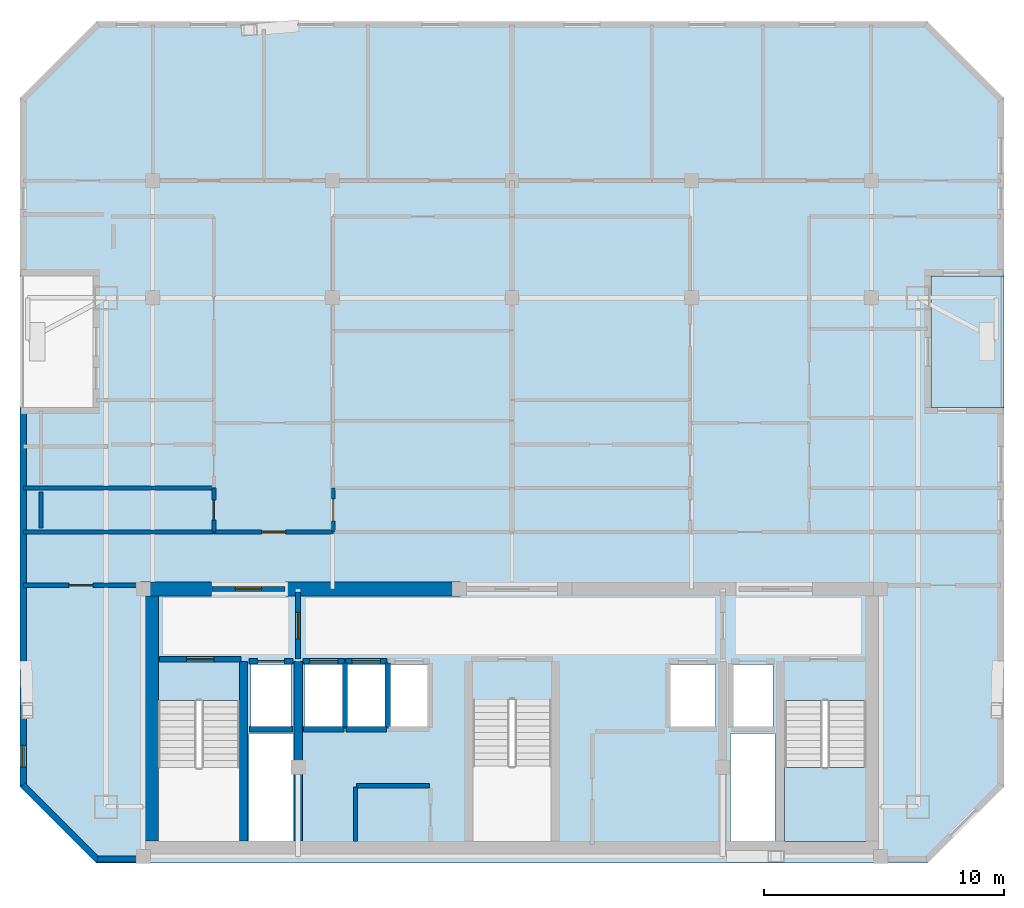
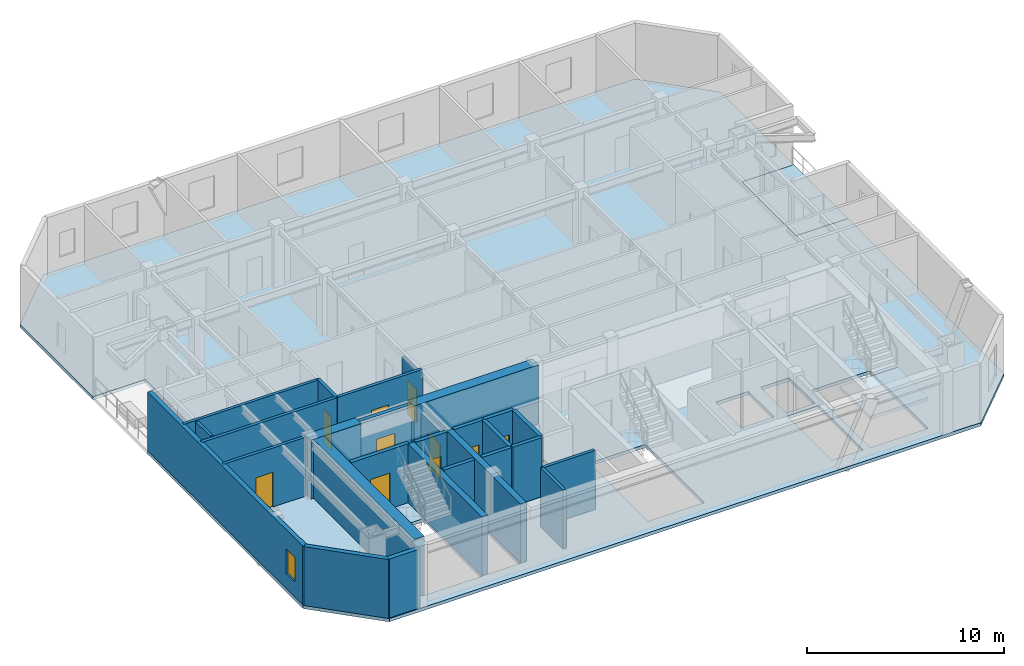
# One storey, part 2 of 7: 28 walls, 10 doors, 3 slabs, 1 window, 11 openings, 1 element without a shape of its own.
"""IFC4 building model written with IfcOpenShell, lengths in metres."""

from ifc_helpers import new_model, si_unit, direction, frame, frame_2d, origin, place, context, subcontext, project, spatial, polyline, rectangle, outline, extrude, material, layer, layer_set, type_object, element, fill, aggregate, save


model = new_model("IFC4")

# Units and contexts
model_context = context("Model", 3, precision=1e-05, world=origin(), true_north=direction((0.0, 1.0)))
body_context = subcontext(model_context, "Body", "Model", "MODEL_VIEW")
ifc_project = project(units=[si_unit("LENGTHUNIT", "METRE"), si_unit("AREAUNIT", "SQUARE_METRE"), si_unit("VOLUMEUNIT", "CUBIC_METRE"), si_unit("PLANEANGLEUNIT", "RADIAN"), si_unit("MASSUNIT", "GRAM", prefix="KILO")], contexts=[model_context])

# Site, building, storey
site_placement = place(None, origin())
site = spatial("IfcSite", under=ifc_project, at=site_placement, CompositionType="ELEMENT")
building_placement = place(site_placement, origin())
building = spatial("IfcBuilding", under=site, at=building_placement, Name="Ventersveld Concourse Tower", CompositionType="ELEMENT")
storey_placement = place(building_placement, frame((0.0, 0.0, 272.14990234375)))
storey = spatial("IfcBuildingStorey", under=building, at=storey_placement, Name="L67", CompositionType="ELEMENT", Elevation=272.14990234375)

# Slabs
ifc_material_1 = material(Name="Concrete C50/60", Category="concrete")
ifc_layer_1 = layer(ifc_material_1, 0.199951171875)
ifc_layer_set_1 = layer_set([ifc_layer_1], Name="Concrete C50/60")
slab_type_1 = type_object("IfcSlabType", Name="SL-FLR-200", PredefinedType="FLOOR", material=ifc_layer_set_1)
slab_1_placement = place(storey_placement, frame((0.0, 0.0, -0.199951171875)))
element("IfcSlab", 1, at=slab_1_placement, inside=storey, type_object=slab_type_1, Name="L67 Composite Floor Slab", PredefinedType="FLOOR", context=body_context, shape_type="SweptSolid", body=[
    extrude(outline(polyline([(11.410888671875, 0.0), (46.089111328125, 0.0), (49.2890625, 3.199951171875), (49.2890625, 19.02197265625), (46.239013671875, 19.02197265625), (46.239013671875, 24.52197265625), (49.2890625, 24.52197265625), (49.2890625, 31.94384765625), (46.089111328125, 35.143798828125), (11.410888671875, 35.143798828125), (8.2109375, 31.94384765625), (8.2109375, 24.52197265625), (11.260986328125, 24.52197265625), (11.260986328125, 19.02197265625), (8.2109375, 19.02197265625), (8.2109375, 3.199951171875), (11.410888671875, 0.0)]), holes=[polyline([(13.97998046875, 6.794921875), (13.97998046875, 0.89990234375), (17.3798828125, 0.89990234375), (17.3798828125, 6.794921875), (13.97998046875, 6.794921875)]), polyline([(40.1201171875, 6.794921875), (40.1201171875, 0.89990234375), (43.52001953125, 0.89990234375), (43.52001953125, 6.794921875), (40.1201171875, 6.794921875)]), polyline([(27.10009765625, 6.844970703125), (27.10009765625, 0.89990234375), (30.39990234375, 0.89990234375), (30.39990234375, 6.844970703125), (27.10009765625, 6.844970703125)]), polyline([(17.85009765625, 5.699951171875), (19.530029296875, 5.699951171875), (19.530029296875, 8.300048828125), (17.85009765625, 8.300048828125), (17.85009765625, 5.699951171875)]), polyline([(37.969970703125, 5.699951171875), (39.64990234375, 5.699951171875), (39.64990234375, 8.300048828125), (37.969970703125, 8.300048828125), (37.969970703125, 5.699951171875)]), polyline([(35.35009765625, 5.699951171875), (37.25, 5.699951171875), (37.25, 8.300048828125), (35.35009765625, 8.300048828125), (35.35009765625, 5.699951171875)]), polyline([(20.090087890625, 5.699951171875), (21.68994140625, 5.699951171875), (21.68994140625, 8.300048828125), (20.090087890625, 8.300048828125), (20.090087890625, 5.699951171875)]), polyline([(21.8701171875, 5.699951171875), (23.469970703125, 5.699951171875), (23.469970703125, 8.300048828125), (21.8701171875, 8.300048828125), (21.8701171875, 5.699951171875)]), polyline([(23.64990234375, 5.699951171875), (25.25, 5.699951171875), (25.25, 8.300048828125), (23.64990234375, 8.300048828125), (23.64990234375, 5.699951171875)]), polyline([(17.780029296875, 0.919921875), (19.6201171875, 0.919921875), (19.6201171875, 5.419921875), (17.780029296875, 5.419921875), (17.780029296875, 0.919921875)]), polyline([(37.8798828125, 0.919921875), (39.719970703125, 0.919921875), (39.719970703125, 5.419921875), (37.8798828125, 5.419921875), (37.8798828125, 0.919921875)])]), origin(), (0.0, 0.0, 1.0), 0.199951171875),
])
slab_2_placement = place(storey_placement, frame((0.0, 0.0, -0.199951171875)))
element("IfcSlab", 2, at=slab_2_placement, inside=storey, type_object=slab_type_1, Name="L67 Outdoor Terrace Slab NOTCH-E", PredefinedType="FLOOR", context=body_context, shape_type="SweptSolid", body=[
    extrude(outline(polyline([(46.239013671875, 19.02197265625), (49.2890625, 19.02197265625), (49.2890625, 24.52197265625), (46.239013671875, 24.52197265625), (46.239013671875, 19.02197265625)])), origin(), (0.0, 0.0, 1.0), 0.199951171875),
])

# Stair, slab
stair_type = type_object("IfcStairType", Name="ST-DOG-160", PredefinedType="HALF_TURN_STAIR", material=ifc_material_1)
stair_placement = place(storey_placement, origin())
stair = element("IfcStair", 3, at=stair_placement, inside=storey, type_object=stair_type, Name="L67 Protected Tower Escape Stair ST-02", PredefinedType="HALF_TURN_STAIR")
ifc_layer_2 = layer(ifc_material_1, 0.199951171875)
ifc_layer_set_2 = layer_set([ifc_layer_2], Name="Concrete C50/60")
slab_type_2 = type_object("IfcSlabType", Name="SL-LND-200", PredefinedType="LANDING", material=ifc_layer_set_2)
slab_3_placement = place(storey_placement, frame((0.0, 0.0, 1.72509765625)))
slab_3 = element("IfcSlab", 4, at=slab_3_placement, type_object=slab_type_2, Name="ST-02 landing 1", PredefinedType="LANDING", context=body_context, shape_type="SweptSolid", body=[
    extrude(outline(polyline([(40.1201171875, 4.0), (40.1201171875, 0.89990234375), (43.52001953125, 0.89990234375), (43.52001953125, 4.0), (40.1201171875, 4.0)])), origin(), (0.0, 0.0, 1.0), 0.199951171875),
])
aggregate(stair, [slab_3])

# Walls
ifc_layer_3 = layer(ifc_material_1, 0.35009765625)
ifc_layer_set_3 = layer_set([ifc_layer_3], Name="Concrete C50/60")
wall_type_1 = type_object("IfcWallType", Name="WL-CORE-350U", PredefinedType="SHEAR", material=ifc_layer_set_3)
for number, where, z_axis, x_axis, name in (
    (5, (17.5400390625, 0.919921875, 0.0), (0.0, 0.0, 1.0), (0.0, 1.0, 0.0), "L67 Core Internal Shear Web W-ST1-E"),
    (6, (19.820068359375, 0.919921875, 0.0), (0.0, 0.0, 1.0), (0.0, 1.0, 0.0), "L67 Core Internal Shear Web W-FF1-E"),
):
    element("IfcWall", number, at=place(storey_placement, frame(where, z_axis=z_axis, x_axis=x_axis)), inside=storey, type_object=wall_type_1, Name=name, PredefinedType="SHEAR", context=body_context, shape_type="SweptSolid", body=[
        extrude(rectangle(XDim=7.5, YDim=0.35009765625, at=frame_2d((3.75, 0.0))), origin(), (0.0, 0.0, 1.0), 3.650146484375),
    ])
ifc_layer_4 = layer(ifc_material_1, 0.60009765625)
ifc_layer_set_4 = layer_set([ifc_layer_4], Name="Concrete C50/60")
wall_type_2 = type_object("IfcWallType", Name="WL-CORE-600", PredefinedType="SHEAR", material=ifc_layer_set_4)
wall_1_placement = place(storey_placement, frame((13.699951171875, 0.919921875, 0.0), z_axis=(0.0, 0.0, 1.0), x_axis=(0.0, 1.0, 0.0)))
element("IfcWall", 7, at=wall_1_placement, inside=storey, type_object=wall_type_2, Name="L67 Rear Core West Shear Wall", PredefinedType="SHEAR", context=body_context, shape_type="SweptSolid", body=[
    extrude(rectangle(XDim=10.530029296875, YDim=0.60009765625, at=frame_2d((5.26513671875, 0.0))), origin(), (0.0, 0.0, 1.0), 3.650146484375),
])
wall_2_placement = place(storey_placement, frame((13.25, 11.449951171875, 0.0), z_axis=(0.0, 0.0, 1.0), x_axis=(1.0, 0.0, 0.0)))
element("IfcWall", 8, at=wall_2_placement, inside=storey, type_object=wall_type_2, Name="L67 Rear Core North Shear Wall NW", PredefinedType="SHEAR", context=body_context, shape_type="SweptSolid", body=[
    extrude(rectangle(XDim=2.949951171875, YDim=0.60009765625, at=frame_2d((1.47509765625, 0.0))), origin(), (0.0, 0.0, 1.0), 3.650146484375),
])
wall_3_placement = place(storey_placement, frame((19.300048828125, 11.449951171875, 0.0), z_axis=(0.0, 0.0, 1.0), x_axis=(1.0, 0.0, 0.0)))
element("IfcWall", 9, at=wall_3_placement, inside=storey, type_object=wall_type_2, Name="L67 Rear Core North Shear Wall NML", PredefinedType="SHEAR", context=body_context, shape_type="SweptSolid", body=[
    extrude(rectangle(XDim=7.300048828125, YDim=0.60009765625, at=frame_2d((3.64990234375, 0.0))), origin(), (0.0, 0.0, 1.0), 3.650146484375),
])
ifc_material_2 = material(Name="Fire-rated autoclaved aerated masonry blockwork", Category="masonry")
ifc_layer_5 = layer(ifc_material_2, 0.179931640625)
ifc_layer_set_5 = layer_set([ifc_layer_5], Name="Fire-rated autoclaved aerated masonry blockwork")
wall_type_3 = type_object("IfcWallType", Name="WL-CORR-180", PredefinedType="PARTITIONING", material=ifc_layer_set_5)
wall_4_placement = place(storey_placement, frame((22.260009765625, 3.22998046875, 0.0), z_axis=(0.0, 0.0, 1.0), x_axis=(1.0, 0.0, 0.0)))
element("IfcWall", 10, at=wall_4_placement, inside=storey, type_object=wall_type_3, Name="L67 Core Top Wall SP-L67-RECB1", PredefinedType="PARTITIONING", context=body_context, shape_type="SweptSolid", body=[
    extrude(rectangle(XDim=3.0400390625, YDim=0.179931640625, at=frame_2d((1.52001953125, 0.0))), origin(), (0.0, 0.0, 1.0), 3.650146484375),
])
wall_5_placement = place(storey_placement, frame((22.219970703125, 0.909912109375, 0.0), z_axis=(0.0, 0.0, 1.0), x_axis=(0.0, 1.0, 0.0)))
element("IfcWall", 11, at=wall_5_placement, inside=storey, type_object=wall_type_3, Name="L67 Core West Wall SP-L67-RECB1", PredefinedType="PARTITIONING", context=body_context, shape_type="SweptSolid", body=[
    extrude(rectangle(XDim=2.280029296875, YDim=0.179931640625, at=frame_2d((1.14013671875, 0.0))), origin(), (0.0, 0.0, 1.0), 3.650146484375),
])

# Wall, opening, door
wall_6_placement = place(storey_placement, frame((8.3603515625, 11.60009765625, 0.0), z_axis=(0.0, 0.0, 1.0), x_axis=(1.0, 0.0, 0.0)))
wall_6 = element("IfcWall", 12, at=wall_6_placement, inside=storey, type_object=wall_type_3, Name="L67 Interior Partition SP-L67-SW-GAL-SP-L67-COR", PredefinedType="PARTITIONING", context=body_context, shape_type="SweptSolid", body=[
    extrude(rectangle(XDim=4.78466796875, YDim=0.179931640625, at=frame_2d((2.392333984375, 0.0))), origin(), (0.0, 0.0, 1.0), 3.650146484375),
])
opening_1_placement = place(wall_6_placement, frame((1.892333984375, 0.0, 0.0)))
opening_1 = element("IfcOpeningElement", 13, at=opening_1_placement, cuts=wall_6, Name="Opening FD3", PredefinedType="OPENING", context=body_context, shape_type="SweptSolid", body=[
    extrude(rectangle(XDim=1.0, YDim=2.14990234375, at=frame_2d((0.5, 1.074951171875))), frame((0.0, 0.10009765625, 0.0), z_axis=(0.0, -1.0, 0.0), x_axis=(1.0, 0.0, 0.0)), (0.0, 0.0, 1.0), 0.199951171875),
])
ifc_material_3 = material(Name="Solid-core hardwood veneer timber", Category="wood")
door_type_1 = type_object("IfcDoorType", Name="DR-FLAT-100", OperationType="NOTDEFINED", PredefinedType="DOOR", material=ifc_material_3)
door_1_placement = place(opening_1_placement, origin())
door_1 = element("IfcDoor", 14, at=door_1_placement, inside=storey, type_object=door_type_1, Name="L67 Interior Door SP-L67-SW-GAL to SP-L67-COR (D-L67-3141)", OperationType="SINGLE_SWING_LEFT", OverallHeight=2.14990234375, OverallWidth=1.0, PredefinedType="DOOR", context=body_context, shape_type="SweptSolid", body=[
    extrude(rectangle(XDim=1.0, YDim=2.14990234375, at=frame_2d((0.5, 1.074951171875))), frame((0.0, 0.02490234375, 0.0), z_axis=(0.0, -1.0, 0.0), x_axis=(1.0, 0.0, 0.0)), (0.0, 0.0, 1.0), 0.050048828125),
])
fill(opening_1, door_1)

wall_7_placement = place(storey_placement, frame((16.299072265625, 13.830078125, 0.0), z_axis=(0.0, 0.0, 1.0), x_axis=(1.0, 0.0, 0.0)))
wall_7 = element("IfcWall", 15, at=wall_7_placement, inside=storey, type_object=wall_type_3, Name="L67 Interior Partition SP-L67-COR-SP-L67-67N1-FOY", PredefinedType="PARTITIONING", context=body_context, shape_type="SweptSolid", body=[
    extrude(rectangle(XDim=4.989990234375, YDim=0.179931640625, at=frame_2d((2.4951171875, 0.0))), origin(), (0.0, 0.0, 1.0), 3.650146484375),
])
opening_2_placement = place(wall_7_placement, frame((1.9951171875, 0.0, 0.0)))
opening_2 = element("IfcOpeningElement", 16, at=opening_2_placement, cuts=wall_7, Name="Opening FD3", PredefinedType="OPENING", context=body_context, shape_type="SweptSolid", body=[
    extrude(rectangle(XDim=1.0, YDim=2.14990234375, at=frame_2d((0.5, 1.074951171875))), frame((0.0, 0.10009765625, 0.0), z_axis=(0.0, -1.0, 0.0), x_axis=(1.0, 0.0, 0.0)), (0.0, 0.0, 1.0), 0.199951171875),
])
door_2_placement = place(opening_2_placement, origin())
door_2 = element("IfcDoor", 17, at=door_2_placement, inside=storey, type_object=door_type_1, Name="L67 Interior Door SP-L67-COR to SP-L67-67N1-FOY (FD-L67-3143)", OperationType="SINGLE_SWING_LEFT", OverallHeight=2.14990234375, OverallWidth=1.0, PredefinedType="DOOR", context=body_context, shape_type="SweptSolid", body=[
    extrude(rectangle(XDim=1.0, YDim=2.14990234375, at=frame_2d((0.5, 1.074951171875))), frame((0.0, 0.02490234375, 0.0), z_axis=(0.0, -1.0, 0.0), x_axis=(1.0, 0.0, 0.0)), (0.0, 0.0, 1.0), 0.050048828125),
])
fill(opening_2, door_2)

# Walls
wall_8_placement = place(storey_placement, frame((8.3603515625, 13.830078125, 0.0), z_axis=(0.0, 0.0, 1.0), x_axis=(1.0, 0.0, 0.0)))
element("IfcWall", 18, at=wall_8_placement, inside=storey, type_object=wall_type_3, Name="L67 Interior Partition SP-L67-COR-SP-L67-67N1-BATH", PredefinedType="PARTITIONING", context=body_context, shape_type="SweptSolid", body=[
    extrude(rectangle(XDim=7.90869140625, YDim=0.179931640625, at=frame_2d((3.954345703125, 0.0))), origin(), (0.0, 0.0, 1.0), 3.650146484375),
])
ifc_layer_6 = layer(ifc_material_2, 0.219970703125)
ifc_layer_set_6 = layer_set([ifc_layer_6], Name="Fire-rated autoclaved aerated masonry blockwork")
wall_type_4 = type_object("IfcWallType", Name="WL-HOIST-220", PredefinedType="SOLIDWALL", material=ifc_layer_set_6)
wall_9_placement = place(storey_placement, frame((17.800048828125, 5.590087890625, 0.0), z_axis=(0.0, 0.0, 1.0), x_axis=(1.0, 0.0, 0.0)))
element("IfcWall", 19, at=wall_9_placement, inside=storey, type_object=wall_type_4, Name="L67 Lift Hoistway Back Wall FFL-01", PredefinedType="SOLIDWALL", context=body_context, shape_type="SweptSolid", body=[
    extrude(rectangle(XDim=1.780029296875, YDim=0.219970703125, at=frame_2d((0.89013671875, 0.0))), origin(), (0.0, 0.0, 1.0), 3.650146484375),
])

# Wall, opening, door
wall_10_placement = place(storey_placement, frame((17.780029296875, 8.429931640625, 0.0), z_axis=(0.0, 0.0, 1.0), x_axis=(1.0, 0.0, 0.0)))
wall_10 = element("IfcWall", 20, at=wall_10_placement, inside=storey, type_object=wall_type_4, Name="L67 Lift Hoistway Front Wall FFL-01", PredefinedType="SOLIDWALL", context=body_context, shape_type="SweptSolid", body=[
    extrude(rectangle(XDim=1.820068359375, YDim=0.219970703125, at=frame_2d((0.91015625, 0.0))), origin(), (0.0, 0.0, 1.0), 3.650146484375),
])
opening_3_placement = place(wall_10_placement, frame((0.35009765625, 0.0, 0.0)))
opening_3 = element("IfcOpeningElement", 21, at=opening_3_placement, cuts=wall_10, Name="Opening LD1", PredefinedType="OPENING", context=body_context, shape_type="SweptSolid", body=[
    extrude(rectangle(XDim=1.1201171875, YDim=2.25, at=frame_2d((0.56005859375, 1.125))), frame((0.0, 0.1201171875, 0.0), z_axis=(0.0, -1.0, 0.0), x_axis=(1.0, 0.0, 0.0)), (0.0, 0.0, 1.0), 0.239990234375),
])
ifc_material_4 = material(Name="Brushed stainless steel 316", Category="steel")
door_type_2 = type_object("IfcDoorType", Name="LD-FF-112", OperationType="SLIDING_TO_LEFT", PredefinedType="DOOR", material=ifc_material_4)
door_3_placement = place(opening_3_placement, origin())
door_3 = element("IfcDoor", 22, at=door_3_placement, inside=storey, type_object=door_type_2, Name="L67 Lift landing door FFL-01 (LD-L67-FFL-01)", OperationType="SLIDING_TO_RIGHT", OverallHeight=2.25, OverallWidth=1.1201171875, PredefinedType="DOOR", context=body_context, shape_type="SweptSolid", body=[
    extrude(rectangle(XDim=1.1201171875, YDim=2.25, at=frame_2d((0.56005859375, 1.125))), frame((0.0, 0.02490234375, 0.0), z_axis=(0.0, -1.0, 0.0), x_axis=(1.0, 0.0, 0.0)), (0.0, 0.0, 1.0), 0.050048828125),
])
fill(opening_3, door_3)

# Walls
wall_11_placement = place(storey_placement, frame((20.0400390625, 5.590087890625, 0.0), z_axis=(0.0, 0.0, 1.0), x_axis=(1.0, 0.0, 0.0)))
element("IfcWall", 23, at=wall_11_placement, inside=storey, type_object=wall_type_4, Name="L67 Lift Hoistway Back Wall PH-01", PredefinedType="SOLIDWALL", context=body_context, shape_type="SweptSolid", body=[
    extrude(rectangle(XDim=1.699951171875, YDim=0.219970703125, at=frame_2d((0.85009765625, 0.0))), origin(), (0.0, 0.0, 1.0), 3.650146484375),
])
wall_12_placement = place(storey_placement, frame((21.780029296875, 5.64990234375, 0.0), z_axis=(0.0, 0.0, 1.0), x_axis=(0.0, 1.0, 0.0)))
element("IfcWall", 24, at=wall_12_placement, inside=storey, type_object=wall_type_4, Name="L67 Lift Hoistway Side Wall PH-01E", PredefinedType="SOLIDWALL", context=body_context, shape_type="SweptSolid", body=[
    extrude(rectangle(XDim=2.7001953125, YDim=0.219970703125, at=frame_2d((1.35009765625, 0.0))), origin(), (0.0, 0.0, 1.0), 3.650146484375),
])

# Wall, opening, door
wall_13_placement = place(storey_placement, frame((20.02001953125, 8.429931640625, 0.0), z_axis=(0.0, 0.0, 1.0), x_axis=(1.0, 0.0, 0.0)))
wall_13 = element("IfcWall", 25, at=wall_13_placement, inside=storey, type_object=wall_type_4, Name="L67 Lift Hoistway Front Wall PH-01", PredefinedType="SOLIDWALL", context=body_context, shape_type="SweptSolid", body=[
    extrude(rectangle(XDim=1.739990234375, YDim=0.219970703125, at=frame_2d((0.8701171875, 0.0))), origin(), (0.0, 0.0, 1.0), 3.650146484375),
])
opening_4_placement = place(wall_13_placement, frame((0.280029296875, 0.0, 0.0)))
opening_4 = element("IfcOpeningElement", 26, at=opening_4_placement, cuts=wall_13, Name="Opening LD2", PredefinedType="OPENING", context=body_context, shape_type="SweptSolid", body=[
    extrude(rectangle(XDim=1.179931640625, YDim=2.199951171875, at=frame_2d((0.58984375, 1.10009765625))), frame((0.0, 0.1201171875, 0.0), z_axis=(0.0, -1.0, 0.0), x_axis=(1.0, 0.0, 0.0)), (0.0, 0.0, 1.0), 0.239990234375),
])
door_type_3 = type_object("IfcDoorType", Name="LD-PAX-118", OperationType="SLIDING_TO_LEFT", PredefinedType="DOOR", material=ifc_material_4)
door_4_placement = place(opening_4_placement, origin())
door_4 = element("IfcDoor", 27, at=door_4_placement, inside=storey, type_object=door_type_3, Name="L67 Lift landing door PH-01 (LD-L67-PH-01)", OperationType="SLIDING_TO_LEFT", OverallHeight=2.199951171875, OverallWidth=1.179931640625, PredefinedType="DOOR", context=body_context, shape_type="SweptSolid", body=[
    extrude(rectangle(XDim=1.179931640625, YDim=2.199951171875, at=frame_2d((0.58984375, 1.10009765625))), frame((0.0, 0.02490234375, 0.0), z_axis=(0.0, -1.0, 0.0), x_axis=(1.0, 0.0, 0.0)), (0.0, 0.0, 1.0), 0.050048828125),
])
fill(opening_4, door_4)

# Walls
wall_14_placement = place(storey_placement, frame((21.820068359375, 5.590087890625, 0.0), z_axis=(0.0, 0.0, 1.0), x_axis=(1.0, 0.0, 0.0)))
element("IfcWall", 28, at=wall_14_placement, inside=storey, type_object=wall_type_4, Name="L67 Lift Hoistway Back Wall PH-02", PredefinedType="SOLIDWALL", context=body_context, shape_type="SweptSolid", body=[
    extrude(rectangle(XDim=1.699951171875, YDim=0.219970703125, at=frame_2d((0.85009765625, 0.0))), origin(), (0.0, 0.0, 1.0), 3.650146484375),
])
wall_15_placement = place(storey_placement, frame((23.56005859375, 5.64990234375, 0.0), z_axis=(0.0, 0.0, 1.0), x_axis=(0.0, 1.0, 0.0)))
element("IfcWall", 29, at=wall_15_placement, inside=storey, type_object=wall_type_4, Name="L67 Lift Hoistway Side Wall PH-02E", PredefinedType="SOLIDWALL", context=body_context, shape_type="SweptSolid", body=[
    extrude(rectangle(XDim=2.7001953125, YDim=0.219970703125, at=frame_2d((1.35009765625, 0.0))), origin(), (0.0, 0.0, 1.0), 3.650146484375),
])

# Wall, opening, door
wall_16_placement = place(storey_placement, frame((21.800048828125, 8.429931640625, 0.0), z_axis=(0.0, 0.0, 1.0), x_axis=(1.0, 0.0, 0.0)))
wall_16 = element("IfcWall", 30, at=wall_16_placement, inside=storey, type_object=wall_type_4, Name="L67 Lift Hoistway Front Wall PH-02", PredefinedType="SOLIDWALL", context=body_context, shape_type="SweptSolid", body=[
    extrude(rectangle(XDim=1.739990234375, YDim=0.219970703125, at=frame_2d((0.8701171875, 0.0))), origin(), (0.0, 0.0, 1.0), 3.650146484375),
])
opening_5_placement = place(wall_16_placement, frame((0.280029296875, 0.0, 0.0)))
opening_5 = element("IfcOpeningElement", 31, at=opening_5_placement, cuts=wall_16, Name="Opening LD2", PredefinedType="OPENING", context=body_context, shape_type="SweptSolid", body=[
    extrude(rectangle(XDim=1.179931640625, YDim=2.199951171875, at=frame_2d((0.58984375, 1.10009765625))), frame((0.0, 0.1201171875, 0.0), z_axis=(0.0, -1.0, 0.0), x_axis=(1.0, 0.0, 0.0)), (0.0, 0.0, 1.0), 0.239990234375),
])
door_5_placement = place(opening_5_placement, origin())
door_5 = element("IfcDoor", 32, at=door_5_placement, inside=storey, type_object=door_type_3, Name="L67 Lift landing door PH-02 (LD-L67-PH-02)", OperationType="SLIDING_TO_RIGHT", OverallHeight=2.199951171875, OverallWidth=1.179931640625, PredefinedType="DOOR", context=body_context, shape_type="SweptSolid", body=[
    extrude(rectangle(XDim=1.179931640625, YDim=2.199951171875, at=frame_2d((0.58984375, 1.10009765625))), frame((0.0, 0.02490234375, 0.0), z_axis=(0.0, -1.0, 0.0), x_axis=(1.0, 0.0, 0.0)), (0.0, 0.0, 1.0), 0.050048828125),
])
fill(opening_5, door_5)

wall_17_placement = place(storey_placement, frame((14.0400390625, 8.52001953125, 0.0), z_axis=(0.0, 0.0, 1.0), x_axis=(1.0, 0.0, 0.0)))
wall_17 = element("IfcWall", 33, at=wall_17_placement, inside=storey, type_object=wall_type_4, Name="L67 Escape Stair ST01 Fire Wall", PredefinedType="SOLIDWALL", context=body_context, shape_type="SweptSolid", body=[
    extrude(rectangle(XDim=3.39990234375, YDim=0.219970703125, at=frame_2d((1.699951171875, 0.0))), origin(), (0.0, 0.0, 1.0), 3.650146484375),
])
opening_6_placement = place(wall_17_placement, frame((1.125, 0.0, 0.0)))
opening_6 = element("IfcOpeningElement", 34, at=opening_6_placement, cuts=wall_17, Name="Opening FD1", PredefinedType="OPENING", context=body_context, shape_type="SweptSolid", body=[
    extrude(rectangle(XDim=1.14990234375, YDim=2.199951171875, at=frame_2d((0.574951171875, 1.10009765625))), frame((0.0, 0.1201171875, 0.0), z_axis=(0.0, -1.0, 0.0), x_axis=(1.0, 0.0, 0.0)), (0.0, 0.0, 1.0), 0.239990234375),
])
ifc_material_5 = material(Name="Galvanised painted steel", Category="steel")
door_type_4 = type_object("IfcDoorType", Name="DR-STAIR-115", OperationType="NOTDEFINED", PredefinedType="DOOR", material=ifc_material_5)
door_6_placement = place(opening_6_placement, origin())
door_6 = element("IfcDoor", 35, at=door_6_placement, inside=storey, type_object=door_type_4, Name="L67 Escape Stair Door ST01 (SD-L67-3131)", OperationType="SINGLE_SWING_LEFT", OverallHeight=2.199951171875, OverallWidth=1.14990234375, PredefinedType="DOOR", context=body_context, shape_type="SweptSolid", body=[
    extrude(rectangle(XDim=1.14990234375, YDim=2.199951171875, at=frame_2d((0.574951171875, 1.10009765625))), frame((0.0, 0.02490234375, 0.0), z_axis=(0.0, -1.0, 0.0), x_axis=(1.0, 0.0, 0.0)), (0.0, 0.0, 1.0), 0.050048828125),
])
fill(opening_6, door_6)

wall_18_placement = place(storey_placement, frame((19.820068359375, 8.52001953125, 0.0), z_axis=(0.0, 0.0, 1.0), x_axis=(0.0, 1.0, 0.0)))
wall_18 = element("IfcWall", 36, at=wall_18_placement, inside=storey, type_object=wall_type_4, Name="L67 Firefighting Lobby Smoke-Stop Wall FFLW-SEP", PredefinedType="SOLIDWALL", context=body_context, shape_type="SweptSolid", body=[
    extrude(rectangle(XDim=2.800048828125, YDim=0.219970703125, at=frame_2d((1.39990234375, 0.0))), origin(), (0.0, 0.0, 1.0), 3.105712890625),
])
opening_7_placement = place(wall_18_placement, frame((0.85009765625, 0.0, 0.0)))
opening_7 = element("IfcOpeningElement", 37, at=opening_7_placement, cuts=wall_18, Name="Opening FD2", PredefinedType="OPENING", context=body_context, shape_type="SweptSolid", body=[
    extrude(rectangle(XDim=1.10009765625, YDim=2.199951171875, at=frame_2d((0.550048828125, 1.10009765625))), frame((0.0, 0.1201171875, 0.0), z_axis=(0.0, -1.0, 0.0), x_axis=(1.0, 0.0, 0.0)), (0.0, 0.0, 1.0), 0.239990234375),
])
door_type_5 = type_object("IfcDoorType", Name="DR-FFL-110", OperationType="NOTDEFINED", PredefinedType="DOOR", material=ifc_material_5)
door_7_placement = place(opening_7_placement, origin())
door_7 = element("IfcDoor", 38, at=door_7_placement, inside=storey, type_object=door_type_5, Name="L67 Firefighting Lobby Door FFLW-SEP (FD-L67-3134)", OperationType="SINGLE_SWING_LEFT", OverallHeight=2.199951171875, OverallWidth=1.10009765625, PredefinedType="DOOR", context=body_context, shape_type="SweptSolid", body=[
    extrude(rectangle(XDim=1.10009765625, YDim=2.199951171875, at=frame_2d((0.550048828125, 1.10009765625))), frame((0.0, 0.02490234375, 0.0), z_axis=(0.0, -1.0, 0.0), x_axis=(1.0, 0.0, 0.0)), (0.0, 0.0, 1.0), 0.050048828125),
])
fill(opening_7, door_7)

wall_19_placement = place(storey_placement, frame((16.22998046875, 11.449951171875, 0.0), z_axis=(0.0, 0.0, 1.0), x_axis=(1.0, 0.0, 0.0)))
wall_19 = element("IfcWall", 39, at=wall_19_placement, inside=storey, type_object=wall_type_4, Name="L67 Core North Fire Portal FFLW-OUT", PredefinedType="SOLIDWALL", context=body_context, shape_type="SweptSolid", body=[
    extrude(rectangle(XDim=3.0400390625, YDim=0.219970703125, at=frame_2d((1.52001953125, 0.0))), origin(), (0.0, 0.0, 1.0), 3.650146484375),
])
opening_8_placement = place(wall_19_placement, frame((0.969970703125, 0.0, 0.0)))
opening_8 = element("IfcOpeningElement", 40, at=opening_8_placement, cuts=wall_19, Name="Opening FD2", PredefinedType="OPENING", context=body_context, shape_type="SweptSolid", body=[
    extrude(rectangle(XDim=1.10009765625, YDim=2.199951171875, at=frame_2d((0.550048828125, 1.10009765625))), frame((0.0, 0.1201171875, 0.0), z_axis=(0.0, -1.0, 0.0), x_axis=(1.0, 0.0, 0.0)), (0.0, 0.0, 1.0), 0.239990234375),
])
door_8_placement = place(opening_8_placement, origin())
door_8 = element("IfcDoor", 41, at=door_8_placement, inside=storey, type_object=door_type_5, Name="L67 Core Lobby Fire Door FFLW-OUT (FD-L67-3136)", OperationType="SINGLE_SWING_RIGHT", OverallHeight=2.199951171875, OverallWidth=1.10009765625, PredefinedType="DOOR", context=body_context, shape_type="SweptSolid", body=[
    extrude(rectangle(XDim=1.10009765625, YDim=2.199951171875, at=frame_2d((0.550048828125, 1.10009765625))), frame((0.0, 0.02490234375, 0.0), z_axis=(0.0, -1.0, 0.0), x_axis=(1.0, 0.0, 0.0)), (0.0, 0.0, 1.0), 0.050048828125),
])
fill(opening_8, door_8)

ifc_material_6 = material(Name="Autoclaved aerated masonry blockwork", Category="masonry")
ifc_layer_7 = layer(ifc_material_6, 0.14990234375)
ifc_layer_set_7 = layer_set([ifc_layer_7], Name="Autoclaved aerated masonry blockwork")
wall_type_5 = type_object("IfcWallType", Name="WL-INT-150", PredefinedType="PARTITIONING", material=ifc_layer_set_7)
wall_20_placement = place(storey_placement, frame((21.283935546875, 13.824951171875, 0.0), z_axis=(0.0, 0.0, 1.0), x_axis=(0.0, 1.0, 0.0)))
wall_20 = element("IfcWall", 42, at=wall_20_placement, inside=storey, type_object=wall_type_5, Name="L67 Interior Partition SP-L67-67N1-FOY-SP-L67-67N1-KIT", PredefinedType="PARTITIONING", context=body_context, shape_type="SweptSolid", body=[
    extrude(rectangle(XDim=1.840087890625, YDim=0.14990234375, at=frame_2d((0.919921875, 0.0))), origin(), (0.0, 0.0, 1.0), 3.295166015625),
])
opening_9_placement = place(wall_20_placement, frame((0.4599609375, 0.0, 0.0)))
opening_9 = element("IfcOpeningElement", 43, at=opening_9_placement, cuts=wall_20, Name="Opening ID1", PredefinedType="OPENING", context=body_context, shape_type="SweptSolid", body=[
    extrude(rectangle(XDim=0.919921875, YDim=2.10009765625, at=frame_2d((0.4599609375, 1.050048828125))), frame((0.0, 0.0849609375, 0.0), z_axis=(0.0, -1.0, 0.0), x_axis=(1.0, 0.0, 0.0)), (0.0, 0.0, 1.0), 0.169921875),
])
door_type_6 = type_object("IfcDoorType", Name="DR-ROOM-092", OperationType="NOTDEFINED", PredefinedType="DOOR", material=ifc_material_3)
door_9_placement = place(opening_9_placement, origin())
door_9 = element("IfcDoor", 44, at=door_9_placement, inside=storey, type_object=door_type_6, Name="L67 Interior Door SP-L67-67N1-FOY to SP-L67-67N1-KIT (D-L67-3148)", OperationType="SINGLE_SWING_RIGHT", OverallHeight=2.10009765625, OverallWidth=0.919921875, PredefinedType="DOOR", context=body_context, shape_type="SweptSolid", body=[
    extrude(rectangle(XDim=0.919921875, YDim=2.10009765625, at=frame_2d((0.4599609375, 1.050048828125))), frame((0.0, 0.02490234375, 0.0), z_axis=(0.0, -1.0, 0.0), x_axis=(1.0, 0.0, 0.0)), (0.0, 0.0, 1.0), 0.050048828125),
])
fill(opening_9, door_9)

# Wall
ifc_material_7 = material(Name="Precast concrete C45/55", Category="concrete")
ifc_layer_8 = layer(ifc_material_7, 0.260009765625)
ifc_layer_set_8 = layer_set([ifc_layer_8], Name="Precast concrete C45/55")
wall_type_6 = type_object("IfcWallType", Name="WL-PREC-260", PredefinedType="SOLIDWALL", material=ifc_layer_set_8)
wall_21_placement = place(storey_placement, frame((11.450927734375, 0.179931640625, 0.0), z_axis=(0.0, 0.0, 1.0), x_axis=(1.0, 0.0, 0.0)))
element("IfcWall", 45, at=wall_21_placement, inside=storey, type_object=wall_type_6, Name="L67 South-West Flank Precast Wall", PredefinedType="SOLIDWALL", context=body_context, shape_type="SweptSolid", body=[
    extrude(rectangle(XDim=1.799072265625, YDim=0.260009765625, at=frame_2d((0.8994140625, 0.0))), origin(), (0.0, 0.0, 1.0), 3.650146484375),
])

# Wall, opening, window
wall_22_placement = place(storey_placement, frame((8.3408203125, 18.98193359375, 0.0), z_axis=(0.0, 0.0, 1.0), x_axis=(0.0, -1.0, 0.0)))
wall_22 = element("IfcWall", 46, at=wall_22_placement, inside=storey, type_object=wall_type_6, Name="L67 Highveld Precast Facade Wall E15", PredefinedType="SOLIDWALL", context=body_context, shape_type="SweptSolid", body=[
    extrude(rectangle(XDim=15.741943359375, YDim=0.260009765625, at=frame_2d((7.87109375, 0.0))), origin(), (0.0, 0.0, 1.0), 3.650146484375),
])
opening_10_placement = place(wall_22_placement, frame((14.06201171875, 0.0, 0.949951171875)))
opening_10 = element("IfcOpeningElement", 47, at=opening_10_placement, cuts=wall_22, Name="Opening W4", PredefinedType="OPENING", context=body_context, shape_type="SweptSolid", body=[
    extrude(rectangle(XDim=0.89990234375, YDim=1.5, at=frame_2d((0.449951171875, 0.75))), frame((0.0, 0.14013671875, 0.0), z_axis=(0.0, -1.0, 0.0), x_axis=(1.0, 0.0, 0.0)), (0.0, 0.0, 1.0), 0.280029296875),
])
ifc_material_8 = material(Name="Tempered acoustic Low-E IGU", Category="glass")
window_type = type_object("IfcWindowType", Name="WIN-090x150", PartitioningType="SINGLE_PANEL", PredefinedType="WINDOW", material=ifc_material_8)
window_placement = place(opening_10_placement, origin())
window = element("IfcWindow", 48, at=window_placement, inside=storey, type_object=window_type, Name="L67 Punched Low-E Window W-0949", OverallHeight=1.5, OverallWidth=0.89990234375, PartitioningType="SINGLE_PANEL", PredefinedType="WINDOW", context=body_context, shape_type="SweptSolid", body=[
    extrude(rectangle(XDim=0.89990234375, YDim=1.5, at=frame_2d((0.449951171875, 0.75))), frame((0.0, 0.030029296875, 0.0), z_axis=(0.0, -1.0, 0.0), x_axis=(1.0, 0.0, 0.0)), (0.0, 0.0, 1.0), 0.06005859375),
])
fill(opening_10, window)

# Wall
wall_23_placement = place(storey_placement, frame((8.3310546875, 3.263671875, 0.0), z_axis=(0.0, 0.0, 1.0), x_axis=(0.707106781187, -0.707106781187, 0.0)))
element("IfcWall", 49, at=wall_23_placement, inside=storey, type_object=wall_type_6, Name="L67 Highveld Precast Facade Wall E16", PredefinedType="SOLIDWALL", context=body_context, shape_type="SweptSolid", body=[
    extrude(rectangle(XDim=4.445556640625, YDim=0.260009765625, at=frame_2d((2.22265625, 0.0))), origin(), (0.0, 0.0, 1.0), 3.650146484375),
])

# Wall, opening, door
ifc_layer_9 = layer(ifc_material_6, 0.1650390625)
ifc_layer_set_9 = layer_set([ifc_layer_9], Name="Autoclaved aerated masonry blockwork")
wall_type_7 = type_object("IfcWallType", Name="WL-WET-165", PredefinedType="PLUMBINGWALL", material=ifc_layer_set_9)
wall_24_placement = place(storey_placement, frame((16.303955078125, 13.824951171875, 0.0), z_axis=(0.0, 0.0, 1.0), x_axis=(0.0, 1.0, 0.0)))
wall_24 = element("IfcWall", 50, at=wall_24_placement, inside=storey, type_object=wall_type_7, Name="L67 Interior Partition SP-L67-67N1-FOY-SP-L67-67N1-BATH", PredefinedType="PLUMBINGWALL", context=body_context, shape_type="SweptSolid", body=[
    extrude(rectangle(XDim=1.840087890625, YDim=0.1650390625, at=frame_2d((0.919921875, 0.0))), origin(), (0.0, 0.0, 1.0), 3.650146484375),
])
opening_11_placement = place(wall_24_placement, frame((0.4951171875, 0.0, 0.0)))
opening_11 = element("IfcOpeningElement", 51, at=opening_11_placement, cuts=wall_24, Name="Opening ID2", PredefinedType="OPENING", context=body_context, shape_type="SweptSolid", body=[
    extrude(rectangle(XDim=0.85009765625, YDim=2.10009765625, at=frame_2d((0.425048828125, 1.050048828125))), frame((0.0, 0.092529296875, 0.0), z_axis=(0.0, -1.0, 0.0), x_axis=(1.0, 0.0, 0.0)), (0.0, 0.0, 1.0), 0.18505859375),
])
door_type_7 = type_object("IfcDoorType", Name="DR-BATH-085", OperationType="NOTDEFINED", PredefinedType="DOOR", material=ifc_material_3)
door_10_placement = place(opening_11_placement, origin())
door_10 = element("IfcDoor", 52, at=door_10_placement, inside=storey, type_object=door_type_7, Name="L67 Interior Door SP-L67-67N1-FOY to SP-L67-67N1-BATH (D-L67-3146)", OperationType="SINGLE_SWING_RIGHT", OverallHeight=2.10009765625, OverallWidth=0.85009765625, PredefinedType="DOOR", context=body_context, shape_type="SweptSolid", body=[
    extrude(rectangle(XDim=0.85009765625, YDim=2.10009765625, at=frame_2d((0.425048828125, 1.050048828125))), frame((0.0, 0.02490234375, 0.0), z_axis=(0.0, -1.0, 0.0), x_axis=(1.0, 0.0, 0.0)), (0.0, 0.0, 1.0), 0.050048828125),
])
fill(opening_11, door_10)

# Walls
wall_25_placement = place(storey_placement, frame((8.3603515625, 15.659912109375, 0.0), z_axis=(0.0, 0.0, 1.0), x_axis=(1.0, 0.0, 0.0)))
element("IfcWall", 53, at=wall_25_placement, inside=storey, type_object=wall_type_7, Name="L67 Interior Partition SP-L67-67N1-BATH-SP-L67-67N1-PWDL2", PredefinedType="PLUMBINGWALL", context=body_context, shape_type="SweptSolid", body=[
    extrude(rectangle(XDim=7.94873046875, YDim=0.1650390625, at=frame_2d((3.974365234375, 0.0))), origin(), (0.0, 0.0, 1.0), 3.650146484375),
])
wall_26_placement = place(storey_placement, frame((9.0908203125, 13.9951171875, 0.0), z_axis=(0.0, 0.0, 1.0), x_axis=(0.0, 1.0, 0.0)))
element("IfcWall", 54, at=wall_26_placement, inside=storey, type_object=wall_type_7, Name="L67 Room Enclosure Wall SP-L67-67N1-BATH", PredefinedType="PLUMBINGWALL", context=body_context, shape_type="SweptSolid", body=[
    extrude(rectangle(XDim=1.5, YDim=0.1650390625, at=frame_2d((0.75, 0.0))), origin(), (0.0, 0.0, 1.0), 3.650146484375),
])

save(model, "model.ifc")
